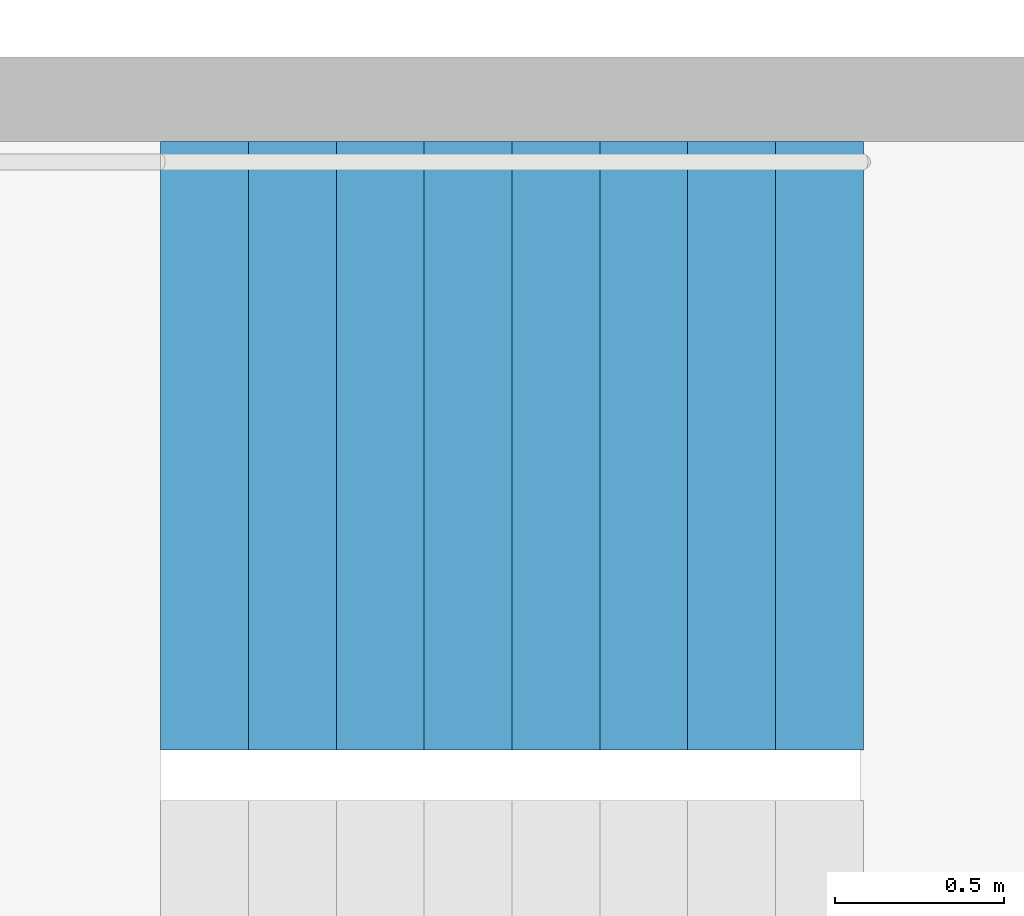
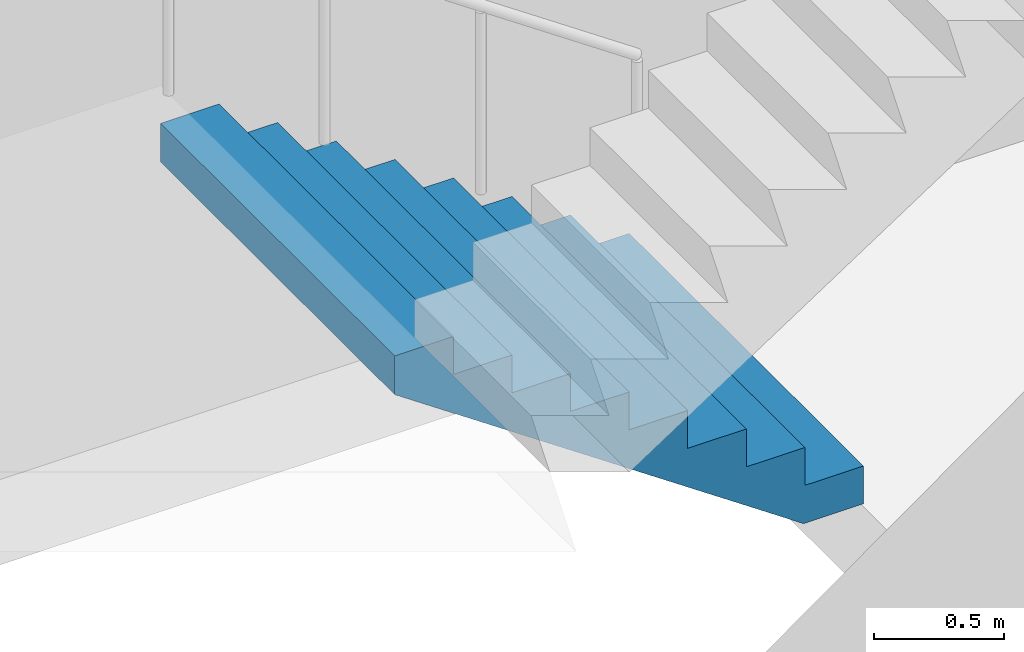
# One storey, part 23 of 37: 1 stair flight, 1 element without a shape of its own.
"""IFC4 building model written with IfcOpenShell, lengths in metres."""

from ifc_helpers import new_model, si_unit, direction, frame, origin, place, context, subcontext, project, spatial, triangles, material, type_object, element, aggregate, save


model = new_model("IFC4")

# Units and contexts
model_context = context("Model", 3, precision=1e-05, world=origin(), true_north=direction((0.0, 1.0)))
body_context = subcontext(model_context, "Body", "Model", "MODEL_VIEW")
ifc_project = project(units=[si_unit("LENGTHUNIT", "METRE"), si_unit("AREAUNIT", "SQUARE_METRE"), si_unit("VOLUMEUNIT", "CUBIC_METRE"), si_unit("PLANEANGLEUNIT", "RADIAN"), si_unit("MASSUNIT", "GRAM", prefix="KILO")], contexts=[model_context])

# Site, building, storey
site_placement = place(None, origin())
site = spatial("IfcSite", under=ifc_project, at=site_placement, CompositionType="ELEMENT")
building_placement = place(site_placement, origin())
building = spatial("IfcBuilding", under=site, at=building_placement, Name="Hakoniwa Tower and Hamabe Station Hall", CompositionType="ELEMENT")
storey_placement = place(building_placement, frame((0.0, 0.0, 39.0)))
storey = spatial("IfcBuildingStorey", under=building, at=storey_placement, Name="L10", CompositionType="ELEMENT", Elevation=39.0)

# Stair, stair flight
ifc_material_1 = material(Name="Concrete C40", Category="concrete")
stair_type = type_object("IfcStairType", Name="ESCAPE STAIR 1800", PredefinedType="HALF_TURN_STAIR", material=ifc_material_1)
stair_placement = place(storey_placement, origin())
stair = element("IfcStair", 1, at=stair_placement, inside=storey, type_object=stair_type, Name="Escape stair ST-2 L10", PredefinedType="HALF_TURN_STAIR")
ifc_material_2 = material(Name="Concrete C40", Category="concrete")
stair_flight_type = type_object("IfcStairFlightType", Name="STAIR FLIGHT 1800", PredefinedType="STRAIGHT", material=ifc_material_2)
stair_flight_placement = place(storey_placement, frame((-23.39990234375, -4.64990234375, 0.0), z_axis=(0.0, 0.0, 1.0), x_axis=(-1.0, 0.0, 0.0)))
stair_flight = element("IfcStairFlight", 2, at=stair_flight_placement, type_object=stair_flight_type, Name="ST-2 flight 1", NumberOfRisers=9, NumberOfTreads=8, PredefinedType="STRAIGHT", RiserHeight=0.177777778, TreadLength=0.26, context=body_context, shape_type="Tessellation", body=[
    triangles([(0.0, 0.89990234375, 0.0), (0.260009765625, 0.89990234375, 0.0), (0.265625, 0.89990234375, 0.0), (0.52001953125, 0.89990234375, 0.174072265625), (0.780029296875, 0.89990234375, 0.351806640625), (1.0400390625, 0.89990234375, 0.529541015625), (1.300048828125, 0.89990234375, 0.707275390625), (1.56005859375, 0.89990234375, 0.885009765625), (1.820068359375, 0.89990234375, 1.062744140625), (2.080078125, 0.89990234375, 1.24072265625), (2.080078125, 0.89990234375, 1.422119140625), (1.820068359375, 0.89990234375, 1.422119140625), (1.820068359375, 0.89990234375, 1.244384765625), (1.56005859375, 0.89990234375, 1.244384765625), (1.56005859375, 0.89990234375, 1.066650390625), (1.300048828125, 0.89990234375, 1.066650390625), (1.300048828125, 0.89990234375, 0.888916015625), (1.0400390625, 0.89990234375, 0.888916015625), (1.0400390625, 0.89990234375, 0.711181640625), (0.780029296875, 0.89990234375, 0.711181640625), (0.780029296875, 0.89990234375, 0.533447265625), (0.52001953125, 0.89990234375, 0.533447265625), (0.52001953125, 0.89990234375, 0.35546875), (0.265625, 0.89990234375, 0.35546875), (0.260009765625, 0.89990234375, 0.35546875), (0.260009765625, 0.89990234375, 0.177734375), (0.0, 0.89990234375, 0.177734375), (0.0, 0.06005859375, 0.0), (0.260009765625, 0.06005859375, 0.0), (0.265625, 0.06005859375, 0.0), (0.52001953125, 0.06005859375, 0.174072265625), (0.780029296875, 0.06005859375, 0.351806640625), (1.0400390625, 0.06005859375, 0.529541015625), (1.300048828125, 0.06005859375, 0.707275390625), (1.56005859375, 0.06005859375, 0.885009765625), (1.820068359375, 0.06005859375, 1.062744140625), (2.080078125, 0.06005859375, 1.24072265625), (2.080078125, 0.06005859375, 1.422119140625), (1.820068359375, 0.06005859375, 1.422119140625), (1.820068359375, 0.06005859375, 1.244384765625), (1.56005859375, 0.06005859375, 1.244384765625), (1.56005859375, 0.06005859375, 1.066650390625), (1.300048828125, 0.06005859375, 1.066650390625), (1.300048828125, 0.06005859375, 0.888916015625), (1.0400390625, 0.06005859375, 0.888916015625), (1.0400390625, 0.06005859375, 0.711181640625), (0.780029296875, 0.06005859375, 0.711181640625), (0.780029296875, 0.06005859375, 0.533447265625), (0.52001953125, 0.06005859375, 0.533447265625), (0.52001953125, 0.06005859375, 0.35546875), (0.265625, 0.06005859375, 0.35546875), (0.260009765625, 0.06005859375, 0.35546875), (0.260009765625, 0.06005859375, 0.177734375), (0.0, 0.06005859375, 0.177734375), (0.0, 0.04296875, 0.0), (0.260009765625, 0.04296875, 0.0), (0.265625, 0.04296875, 0.0), (0.52001953125, 0.04296875, 0.174072265625), (0.780029296875, 0.04296875, 0.351806640625), (1.0400390625, 0.04296875, 0.529541015625), (1.300048828125, 0.04296875, 0.707275390625), (1.56005859375, 0.04296875, 0.885009765625), (1.820068359375, 0.04296875, 1.062744140625), (2.080078125, 0.04296875, 1.24072265625), (2.080078125, 0.04296875, 1.422119140625), (1.820068359375, 0.04296875, 1.422119140625), (1.820068359375, 0.04296875, 1.244384765625), (1.56005859375, 0.04296875, 1.244384765625), (1.56005859375, 0.04296875, 1.066650390625), (1.300048828125, 0.04296875, 1.066650390625), (1.300048828125, 0.04296875, 0.888916015625), (1.0400390625, 0.04296875, 0.888916015625), (1.0400390625, 0.04296875, 0.711181640625), (0.780029296875, 0.04296875, 0.711181640625), (0.780029296875, 0.04296875, 0.533447265625), (0.52001953125, 0.04296875, 0.533447265625), (0.52001953125, 0.04296875, 0.35546875), (0.265625, 0.04296875, 0.35546875), (0.260009765625, 0.04296875, 0.35546875), (0.260009765625, 0.04296875, 0.177734375), (0.0, 0.04296875, 0.177734375), (0.0, 0.025634765625, 0.0), (0.260009765625, 0.025634765625, 0.0), (0.265625, 0.025634765625, 0.0), (0.52001953125, 0.025634765625, 0.174072265625), (0.780029296875, 0.025634765625, 0.351806640625), (1.0400390625, 0.025634765625, 0.529541015625), (1.300048828125, 0.025634765625, 0.707275390625), (1.56005859375, 0.025634765625, 0.885009765625), (1.820068359375, 0.025634765625, 1.062744140625), (2.080078125, 0.025634765625, 1.24072265625), (2.080078125, 0.025634765625, 1.422119140625), (1.820068359375, 0.025634765625, 1.422119140625), (1.820068359375, 0.025634765625, 1.244384765625), (1.56005859375, 0.025634765625, 1.244384765625), (1.56005859375, 0.025634765625, 1.066650390625), (1.300048828125, 0.025634765625, 1.066650390625), (1.300048828125, 0.025634765625, 0.888916015625), (1.0400390625, 0.025634765625, 0.888916015625), (1.0400390625, 0.025634765625, 0.711181640625), (0.780029296875, 0.025634765625, 0.711181640625), (0.780029296875, 0.025634765625, 0.533447265625), (0.52001953125, 0.025634765625, 0.533447265625), (0.52001953125, 0.025634765625, 0.35546875), (0.265625, 0.025634765625, 0.35546875), (0.260009765625, 0.025634765625, 0.35546875), (0.260009765625, 0.025634765625, 0.177734375), (0.0, 0.025634765625, 0.177734375), (0.0, 0.008544921875, 0.0), (0.260009765625, 0.008544921875, 0.0), (0.265625, 0.008544921875, 0.0), (0.52001953125, 0.008544921875, 0.174072265625), (0.780029296875, 0.008544921875, 0.351806640625), (1.0400390625, 0.008544921875, 0.529541015625), (1.300048828125, 0.008544921875, 0.707275390625), (1.56005859375, 0.008544921875, 0.885009765625), (1.820068359375, 0.008544921875, 1.062744140625), (2.080078125, 0.008544921875, 1.24072265625), (2.080078125, 0.008544921875, 1.422119140625), (1.820068359375, 0.008544921875, 1.422119140625), (1.820068359375, 0.008544921875, 1.244384765625), (1.56005859375, 0.008544921875, 1.244384765625), (1.56005859375, 0.008544921875, 1.066650390625), (1.300048828125, 0.008544921875, 1.066650390625), (1.300048828125, 0.008544921875, 0.888916015625), (1.0400390625, 0.008544921875, 0.888916015625), (1.0400390625, 0.008544921875, 0.711181640625), (0.780029296875, 0.008544921875, 0.711181640625), (0.780029296875, 0.008544921875, 0.533447265625), (0.52001953125, 0.008544921875, 0.533447265625), (0.52001953125, 0.008544921875, 0.35546875), (0.265625, 0.008544921875, 0.35546875), (0.260009765625, 0.008544921875, 0.35546875), (0.260009765625, 0.008544921875, 0.177734375), (0.0, 0.008544921875, 0.177734375), (0.0, -0.008544921875, 0.0), (0.260009765625, -0.008544921875, 0.0), (0.265625, -0.008544921875, 0.0), (0.52001953125, -0.008544921875, 0.174072265625), (0.780029296875, -0.008544921875, 0.351806640625), (1.0400390625, -0.008544921875, 0.529541015625), (1.300048828125, -0.008544921875, 0.707275390625), (1.56005859375, -0.008544921875, 0.885009765625), (1.820068359375, -0.008544921875, 1.062744140625), (2.080078125, -0.008544921875, 1.24072265625), (2.080078125, -0.008544921875, 1.422119140625), (1.820068359375, -0.008544921875, 1.422119140625), (1.820068359375, -0.008544921875, 1.244384765625), (1.56005859375, -0.008544921875, 1.244384765625), (1.56005859375, -0.008544921875, 1.066650390625), (1.300048828125, -0.008544921875, 1.066650390625), (1.300048828125, -0.008544921875, 0.888916015625), (1.0400390625, -0.008544921875, 0.888916015625), (1.0400390625, -0.008544921875, 0.711181640625), (0.780029296875, -0.008544921875, 0.711181640625), (0.780029296875, -0.008544921875, 0.533447265625), (0.52001953125, -0.008544921875, 0.533447265625), (0.52001953125, -0.008544921875, 0.35546875), (0.265625, -0.008544921875, 0.35546875), (0.260009765625, -0.008544921875, 0.35546875), (0.260009765625, -0.008544921875, 0.177734375), (0.0, -0.008544921875, 0.177734375), (0.0, -0.025634765625, 0.0), (0.260009765625, -0.025634765625, 0.0), (0.265625, -0.025634765625, 0.0), (0.52001953125, -0.025634765625, 0.174072265625), (0.780029296875, -0.025634765625, 0.351806640625), (1.0400390625, -0.025634765625, 0.529541015625), (1.300048828125, -0.025634765625, 0.707275390625), (1.56005859375, -0.025634765625, 0.885009765625), (1.820068359375, -0.025634765625, 1.062744140625), (2.080078125, -0.025634765625, 1.24072265625), (2.080078125, -0.025634765625, 1.422119140625), (1.820068359375, -0.025634765625, 1.422119140625), (1.820068359375, -0.025634765625, 1.244384765625), (1.56005859375, -0.025634765625, 1.244384765625), (1.56005859375, -0.025634765625, 1.066650390625), (1.300048828125, -0.025634765625, 1.066650390625), (1.300048828125, -0.025634765625, 0.888916015625), (1.0400390625, -0.025634765625, 0.888916015625), (1.0400390625, -0.025634765625, 0.711181640625), (0.780029296875, -0.025634765625, 0.711181640625), (0.780029296875, -0.025634765625, 0.533447265625), (0.52001953125, -0.025634765625, 0.533447265625), (0.52001953125, -0.025634765625, 0.35546875), (0.265625, -0.025634765625, 0.35546875), (0.260009765625, -0.025634765625, 0.35546875), (0.260009765625, -0.025634765625, 0.177734375), (0.0, -0.025634765625, 0.177734375), (0.0, -0.04296875, 0.0), (0.260009765625, -0.04296875, 0.0), (0.265625, -0.04296875, 0.0), (0.52001953125, -0.04296875, 0.174072265625), (0.780029296875, -0.04296875, 0.351806640625), (1.0400390625, -0.04296875, 0.529541015625), (1.300048828125, -0.04296875, 0.707275390625), (1.56005859375, -0.04296875, 0.885009765625), (1.820068359375, -0.04296875, 1.062744140625), (2.080078125, -0.04296875, 1.24072265625), (2.080078125, -0.04296875, 1.422119140625), (1.820068359375, -0.04296875, 1.422119140625), (1.820068359375, -0.04296875, 1.244384765625), (1.56005859375, -0.04296875, 1.244384765625), (1.56005859375, -0.04296875, 1.066650390625), (1.300048828125, -0.04296875, 1.066650390625), (1.300048828125, -0.04296875, 0.888916015625), (1.0400390625, -0.04296875, 0.888916015625), (1.0400390625, -0.04296875, 0.711181640625), (0.780029296875, -0.04296875, 0.711181640625), (0.780029296875, -0.04296875, 0.533447265625), (0.52001953125, -0.04296875, 0.533447265625), (0.52001953125, -0.04296875, 0.35546875), (0.265625, -0.04296875, 0.35546875), (0.260009765625, -0.04296875, 0.35546875), (0.260009765625, -0.04296875, 0.177734375), (0.0, -0.04296875, 0.177734375), (0.0, -0.06005859375, 0.0), (0.260009765625, -0.06005859375, 0.0), (0.265625, -0.06005859375, 0.0), (0.52001953125, -0.06005859375, 0.174072265625), (0.780029296875, -0.06005859375, 0.351806640625), (1.0400390625, -0.06005859375, 0.529541015625), (1.300048828125, -0.06005859375, 0.707275390625), (1.56005859375, -0.06005859375, 0.885009765625), (1.820068359375, -0.06005859375, 1.062744140625), (2.080078125, -0.06005859375, 1.24072265625), (2.080078125, -0.06005859375, 1.422119140625), (1.820068359375, -0.06005859375, 1.422119140625), (1.820068359375, -0.06005859375, 1.244384765625), (1.56005859375, -0.06005859375, 1.244384765625), (1.56005859375, -0.06005859375, 1.066650390625), (1.300048828125, -0.06005859375, 1.066650390625), (1.300048828125, -0.06005859375, 0.888916015625), (1.0400390625, -0.06005859375, 0.888916015625), (1.0400390625, -0.06005859375, 0.711181640625), (0.780029296875, -0.06005859375, 0.711181640625), (0.780029296875, -0.06005859375, 0.533447265625), (0.52001953125, -0.06005859375, 0.533447265625), (0.52001953125, -0.06005859375, 0.35546875), (0.265625, -0.06005859375, 0.35546875), (0.260009765625, -0.06005859375, 0.35546875), (0.260009765625, -0.06005859375, 0.177734375), (0.0, -0.06005859375, 0.177734375), (0.0, -0.89990234375, 0.0), (0.260009765625, -0.89990234375, 0.0), (0.265625, -0.89990234375, 0.0), (0.52001953125, -0.89990234375, 0.174072265625), (0.780029296875, -0.89990234375, 0.351806640625), (1.0400390625, -0.89990234375, 0.529541015625), (1.300048828125, -0.89990234375, 0.707275390625), (1.56005859375, -0.89990234375, 0.885009765625), (1.820068359375, -0.89990234375, 1.062744140625), (2.080078125, -0.89990234375, 1.24072265625), (2.080078125, -0.89990234375, 1.422119140625), (1.820068359375, -0.89990234375, 1.422119140625), (1.820068359375, -0.89990234375, 1.244384765625), (1.56005859375, -0.89990234375, 1.244384765625), (1.56005859375, -0.89990234375, 1.066650390625), (1.300048828125, -0.89990234375, 1.066650390625), (1.300048828125, -0.89990234375, 0.888916015625), (1.0400390625, -0.89990234375, 0.888916015625), (1.0400390625, -0.89990234375, 0.711181640625), (0.780029296875, -0.89990234375, 0.711181640625), (0.780029296875, -0.89990234375, 0.533447265625), (0.52001953125, -0.89990234375, 0.533447265625), (0.52001953125, -0.89990234375, 0.35546875), (0.265625, -0.89990234375, 0.35546875), (0.260009765625, -0.89990234375, 0.35546875), (0.260009765625, -0.89990234375, 0.177734375), (0.0, -0.89990234375, 0.177734375)], [[2, 27, 26], [245, 269, 270], [2, 1, 27], [245, 270, 244], [3, 25, 24], [246, 267, 268], [3, 26, 25], [246, 268, 269], [3, 2, 26], [246, 269, 245], [4, 24, 23], [247, 266, 267], [4, 3, 24], [247, 267, 246], [5, 22, 21], [248, 264, 265], [5, 23, 22], [248, 265, 266], [5, 4, 23], [248, 266, 247], [6, 20, 19], [249, 262, 263], [6, 21, 20], [249, 263, 264], [6, 5, 21], [249, 264, 248], [7, 18, 17], [250, 260, 261], [7, 19, 18], [250, 261, 262], [7, 6, 19], [250, 262, 249], [8, 16, 15], [251, 258, 259], [8, 17, 16], [251, 259, 260], [8, 7, 17], [251, 260, 250], [9, 14, 13], [252, 256, 257], [9, 15, 14], [252, 257, 258], [9, 8, 15], [252, 258, 251], [10, 12, 11], [253, 254, 255], [10, 13, 12], [253, 255, 256], [10, 9, 13], [253, 256, 252], [1, 2, 29], [1, 29, 28], [28, 29, 56], [28, 56, 55], [55, 56, 83], [55, 83, 82], [82, 83, 110], [82, 110, 109], [109, 110, 137], [109, 137, 136], [136, 137, 164], [136, 164, 163], [163, 164, 191], [163, 191, 190], [190, 191, 218], [190, 218, 217], [217, 218, 245], [217, 245, 244], [2, 3, 30], [2, 30, 29], [29, 30, 57], [29, 57, 56], [56, 57, 84], [56, 84, 83], [83, 84, 111], [83, 111, 110], [110, 111, 138], [110, 138, 137], [137, 138, 165], [137, 165, 164], [164, 165, 192], [164, 192, 191], [191, 192, 219], [191, 219, 218], [218, 219, 246], [218, 246, 245], [3, 4, 31], [3, 31, 30], [30, 31, 58], [30, 58, 57], [57, 58, 85], [57, 85, 84], [84, 85, 112], [84, 112, 111], [111, 112, 139], [111, 139, 138], [138, 139, 166], [138, 166, 165], [165, 166, 193], [165, 193, 192], [192, 193, 220], [192, 220, 219], [219, 220, 247], [219, 247, 246], [4, 5, 32], [4, 32, 31], [31, 32, 59], [31, 59, 58], [58, 59, 86], [58, 86, 85], [85, 86, 113], [85, 113, 112], [112, 113, 140], [112, 140, 139], [139, 140, 167], [139, 167, 166], [166, 167, 194], [166, 194, 193], [193, 194, 221], [193, 221, 220], [220, 221, 248], [220, 248, 247], [5, 6, 33], [5, 33, 32], [32, 33, 60], [32, 60, 59], [59, 60, 87], [59, 87, 86], [86, 87, 114], [86, 114, 113], [113, 114, 141], [113, 141, 140], [140, 141, 168], [140, 168, 167], [167, 168, 195], [167, 195, 194], [194, 195, 222], [194, 222, 221], [221, 222, 249], [221, 249, 248], [6, 7, 34], [6, 34, 33], [33, 34, 61], [33, 61, 60], [60, 61, 88], [60, 88, 87], [87, 88, 115], [87, 115, 114], [114, 115, 142], [114, 142, 141], [141, 142, 169], [141, 169, 168], [168, 169, 196], [168, 196, 195], [195, 196, 223], [195, 223, 222], [222, 223, 250], [222, 250, 249], [7, 8, 35], [7, 35, 34], [34, 35, 62], [34, 62, 61], [61, 62, 89], [61, 89, 88], [88, 89, 116], [88, 116, 115], [115, 116, 143], [115, 143, 142], [142, 143, 170], [142, 170, 169], [169, 170, 197], [169, 197, 196], [196, 197, 224], [196, 224, 223], [223, 224, 251], [223, 251, 250], [8, 9, 36], [8, 36, 35], [35, 36, 63], [35, 63, 62], [62, 63, 90], [62, 90, 89], [89, 90, 117], [89, 117, 116], [116, 117, 144], [116, 144, 143], [143, 144, 171], [143, 171, 170], [170, 171, 198], [170, 198, 197], [197, 198, 225], [197, 225, 224], [224, 225, 252], [224, 252, 251], [9, 10, 37], [9, 37, 36], [36, 37, 64], [36, 64, 63], [63, 64, 91], [63, 91, 90], [90, 91, 118], [90, 118, 117], [117, 118, 145], [117, 145, 144], [144, 145, 172], [144, 172, 171], [171, 172, 199], [171, 199, 198], [198, 199, 226], [198, 226, 225], [225, 226, 253], [225, 253, 252], [10, 11, 38], [10, 38, 37], [37, 38, 65], [37, 65, 64], [64, 65, 92], [64, 92, 91], [91, 92, 119], [91, 119, 118], [118, 119, 146], [118, 146, 145], [145, 146, 173], [145, 173, 172], [172, 173, 200], [172, 200, 199], [199, 200, 227], [199, 227, 226], [226, 227, 254], [226, 254, 253], [11, 12, 39], [11, 39, 38], [38, 39, 66], [38, 66, 65], [65, 66, 93], [65, 93, 92], [92, 93, 120], [92, 120, 119], [119, 120, 147], [119, 147, 146], [146, 147, 174], [146, 174, 173], [173, 174, 201], [173, 201, 200], [200, 201, 228], [200, 228, 227], [227, 228, 255], [227, 255, 254], [12, 13, 40], [12, 40, 39], [39, 40, 67], [39, 67, 66], [66, 67, 94], [66, 94, 93], [93, 94, 121], [93, 121, 120], [120, 121, 148], [120, 148, 147], [147, 148, 175], [147, 175, 174], [174, 175, 202], [174, 202, 201], [201, 202, 229], [201, 229, 228], [228, 229, 256], [228, 256, 255], [13, 14, 41], [13, 41, 40], [40, 41, 68], [40, 68, 67], [67, 68, 95], [67, 95, 94], [94, 95, 122], [94, 122, 121], [121, 122, 149], [121, 149, 148], [148, 149, 176], [148, 176, 175], [175, 176, 203], [175, 203, 202], [202, 203, 230], [202, 230, 229], [229, 230, 257], [229, 257, 256], [14, 15, 42], [14, 42, 41], [41, 42, 69], [41, 69, 68], [68, 69, 96], [68, 96, 95], [95, 96, 123], [95, 123, 122], [122, 123, 150], [122, 150, 149], [149, 150, 177], [149, 177, 176], [176, 177, 204], [176, 204, 203], [203, 204, 231], [203, 231, 230], [230, 231, 258], [230, 258, 257], [15, 16, 43], [15, 43, 42], [42, 43, 70], [42, 70, 69], [69, 70, 97], [69, 97, 96], [96, 97, 124], [96, 124, 123], [123, 124, 151], [123, 151, 150], [150, 151, 178], [150, 178, 177], [177, 178, 205], [177, 205, 204], [204, 205, 232], [204, 232, 231], [231, 232, 259], [231, 259, 258], [16, 17, 44], [16, 44, 43], [43, 44, 71], [43, 71, 70], [70, 71, 98], [70, 98, 97], [97, 98, 125], [97, 125, 124], [124, 125, 152], [124, 152, 151], [151, 152, 179], [151, 179, 178], [178, 179, 206], [178, 206, 205], [205, 206, 233], [205, 233, 232], [232, 233, 260], [232, 260, 259], [17, 18, 45], [17, 45, 44], [44, 45, 72], [44, 72, 71], [71, 72, 99], [71, 99, 98], [98, 99, 126], [98, 126, 125], [125, 126, 153], [125, 153, 152], [152, 153, 180], [152, 180, 179], [179, 180, 207], [179, 207, 206], [206, 207, 234], [206, 234, 233], [233, 234, 261], [233, 261, 260], [18, 19, 46], [18, 46, 45], [45, 46, 73], [45, 73, 72], [72, 73, 100], [72, 100, 99], [99, 100, 127], [99, 127, 126], [126, 127, 154], [126, 154, 153], [153, 154, 181], [153, 181, 180], [180, 181, 208], [180, 208, 207], [207, 208, 235], [207, 235, 234], [234, 235, 262], [234, 262, 261], [19, 20, 47], [19, 47, 46], [46, 47, 74], [46, 74, 73], [73, 74, 101], [73, 101, 100], [100, 101, 128], [100, 128, 127], [127, 128, 155], [127, 155, 154], [154, 155, 182], [154, 182, 181], [181, 182, 209], [181, 209, 208], [208, 209, 236], [208, 236, 235], [235, 236, 263], [235, 263, 262], [20, 21, 48], [20, 48, 47], [47, 48, 75], [47, 75, 74], [74, 75, 102], [74, 102, 101], [101, 102, 129], [101, 129, 128], [128, 129, 156], [128, 156, 155], [155, 156, 183], [155, 183, 182], [182, 183, 210], [182, 210, 209], [209, 210, 237], [209, 237, 236], [236, 237, 264], [236, 264, 263], [21, 22, 49], [21, 49, 48], [48, 49, 76], [48, 76, 75], [75, 76, 103], [75, 103, 102], [102, 103, 130], [102, 130, 129], [129, 130, 157], [129, 157, 156], [156, 157, 184], [156, 184, 183], [183, 184, 211], [183, 211, 210], [210, 211, 238], [210, 238, 237], [237, 238, 265], [237, 265, 264], [22, 23, 50], [22, 50, 49], [49, 50, 77], [49, 77, 76], [76, 77, 104], [76, 104, 103], [103, 104, 131], [103, 131, 130], [130, 131, 158], [130, 158, 157], [157, 158, 185], [157, 185, 184], [184, 185, 212], [184, 212, 211], [211, 212, 239], [211, 239, 238], [238, 239, 266], [238, 266, 265], [23, 24, 51], [23, 51, 50], [50, 51, 78], [50, 78, 77], [77, 78, 105], [77, 105, 104], [104, 105, 132], [104, 132, 131], [131, 132, 159], [131, 159, 158], [158, 159, 186], [158, 186, 185], [185, 186, 213], [185, 213, 212], [212, 213, 240], [212, 240, 239], [239, 240, 267], [239, 267, 266], [24, 25, 52], [24, 52, 51], [51, 52, 79], [51, 79, 78], [78, 79, 106], [78, 106, 105], [105, 106, 133], [105, 133, 132], [132, 133, 160], [132, 160, 159], [159, 160, 187], [159, 187, 186], [186, 187, 214], [186, 214, 213], [213, 214, 241], [213, 241, 240], [240, 241, 268], [240, 268, 267], [25, 26, 53], [25, 53, 52], [52, 53, 80], [52, 80, 79], [79, 80, 107], [79, 107, 106], [106, 107, 134], [106, 134, 133], [133, 134, 161], [133, 161, 160], [160, 161, 188], [160, 188, 187], [187, 188, 215], [187, 215, 214], [214, 215, 242], [214, 242, 241], [241, 242, 269], [241, 269, 268], [26, 27, 54], [26, 54, 53], [53, 54, 81], [53, 81, 80], [80, 81, 108], [80, 108, 107], [107, 108, 135], [107, 135, 134], [134, 135, 162], [134, 162, 161], [161, 162, 189], [161, 189, 188], [188, 189, 216], [188, 216, 215], [215, 216, 243], [215, 243, 242], [242, 243, 270], [242, 270, 269], [27, 1, 28], [27, 28, 54], [54, 28, 55], [54, 55, 81], [81, 55, 82], [81, 82, 108], [108, 82, 109], [108, 109, 135], [135, 109, 136], [135, 136, 162], [162, 136, 163], [162, 163, 189], [189, 163, 190], [189, 190, 216], [216, 190, 217], [216, 217, 243], [243, 217, 244], [243, 244, 270]], closed=True),
])
aggregate(stair, [stair_flight])

save(model, "model.ifc")
